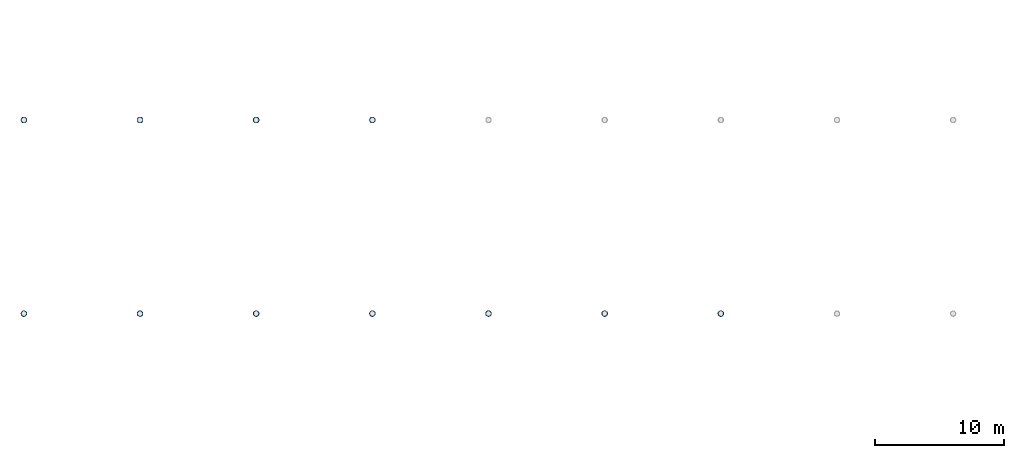
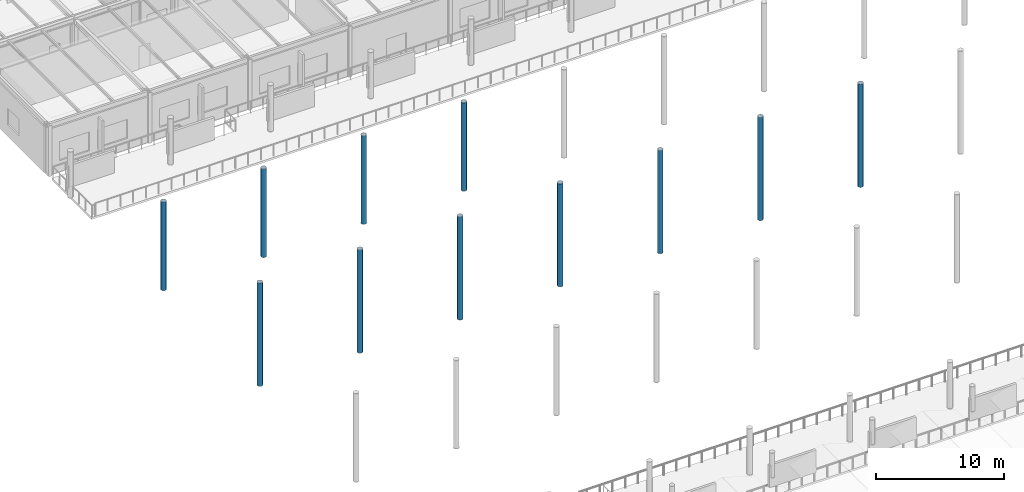
# One storey, part 7 of 143: 11 columns.
"""IFC4 building model written with IfcOpenShell, lengths in metres."""

from ifc_helpers import new_model, si_unit, direction, frame, origin, origin_2d, place, context, subcontext, project, spatial, hollow_circle, extrude, material, material_profile, profile_set, type_object, element, save


model = new_model("IFC4")

# Units and contexts
model_context = context("Model", 3, precision=1e-05, world=origin(), true_north=direction((0.0, 1.0)))
body_context = subcontext(model_context, "Body", "Model", "MODEL_VIEW")
ifc_project = project(units=[si_unit("LENGTHUNIT", "METRE"), si_unit("AREAUNIT", "SQUARE_METRE"), si_unit("VOLUMEUNIT", "CUBIC_METRE"), si_unit("PLANEANGLEUNIT", "RADIAN"), si_unit("MASSUNIT", "GRAM", prefix="KILO")], contexts=[model_context])

# Site, building, storey
site_placement = place(None, origin())
site = spatial("IfcSite", under=ifc_project, at=site_placement, CompositionType="ELEMENT")
building_placement = place(site_placement, origin())
building = spatial("IfcBuilding", under=site, at=building_placement, Name="Marlcrest Central Station", CompositionType="ELEMENT")
storey_placement = place(building_placement, frame((0.0, 0.0, 4.800048828125)))
storey = spatial("IfcBuildingStorey", under=building, at=storey_placement, Name="L01", CompositionType="ELEMENT", Elevation=4.800048828125)

# Columns
ifc_material = material(Name="Steel S355", Category="steel")
ifc_material_profile = material_profile(ifc_material, hollow_circle(Radius=0.228515625, WallThickness=0.02001953125, at=origin_2d()), Name="CHS 457x20")
ifc_profile_set = profile_set([ifc_material_profile], Name="Steel S355")
column_type = type_object("IfcColumnType", Name="SC-11", PredefinedType="COLUMN", material=ifc_profile_set)
column_1_placement = place(storey_placement, frame((0.0, 66.0, 0.0), z_axis=(0.0, 0.0, 1.0), x_axis=(1.0, 0.0, 0.0)))
element("IfcColumn", 1, at=column_1_placement, inside=storey, type_object=column_type, Name="col-SC-11-L01-0417", PredefinedType="COLUMN", context=body_context, shape_type="SweptSolid", body=[
    extrude(hollow_circle(Radius=0.228515625, WallThickness=0.02001953125, at=origin_2d()), origin(), (0.0, 0.0, 1.0), 9.800048828125),
])
column_2_placement = place(storey_placement, frame((0.0, 81.0, 0.0), z_axis=(0.0, 0.0, 1.0), x_axis=(1.0, 0.0, 0.0)))
element("IfcColumn", 2, at=column_2_placement, inside=storey, type_object=column_type, Name="col-SC-11-L01-0419", PredefinedType="COLUMN", context=body_context, shape_type="SweptSolid", body=[
    extrude(hollow_circle(Radius=0.228515625, WallThickness=0.02001953125, at=origin_2d()), origin(), (0.0, 0.0, 1.0), 8.40380859375),
])
column_3_placement = place(storey_placement, frame((9.0, 66.0, 0.0), z_axis=(0.0, 0.0, 1.0), x_axis=(1.0, 0.0, 0.0)))
element("IfcColumn", 3, at=column_3_placement, inside=storey, type_object=column_type, Name="col-SC-11-L01-0427", PredefinedType="COLUMN", context=body_context, shape_type="SweptSolid", body=[
    extrude(hollow_circle(Radius=0.228515625, WallThickness=0.02001953125, at=origin_2d()), origin(), (0.0, 0.0, 1.0), 9.800048828125),
])
column_4_placement = place(storey_placement, frame((9.0, 81.0, 0.0), z_axis=(0.0, 0.0, 1.0), x_axis=(1.0, 0.0, 0.0)))
element("IfcColumn", 4, at=column_4_placement, inside=storey, type_object=column_type, Name="col-SC-11-L01-0429", PredefinedType="COLUMN", context=body_context, shape_type="SweptSolid", body=[
    extrude(hollow_circle(Radius=0.228515625, WallThickness=0.02001953125, at=origin_2d()), origin(), (0.0, 0.0, 1.0), 8.40380859375),
])
column_5_placement = place(storey_placement, frame((18.0, 66.0, 0.0), z_axis=(0.0, 0.0, 1.0), x_axis=(1.0, 0.0, 0.0)))
element("IfcColumn", 5, at=column_5_placement, inside=storey, type_object=column_type, Name="col-SC-11-L01-0437", PredefinedType="COLUMN", context=body_context, shape_type="SweptSolid", body=[
    extrude(hollow_circle(Radius=0.228515625, WallThickness=0.02001953125, at=origin_2d()), origin(), (0.0, 0.0, 1.0), 9.800048828125),
])
column_6_placement = place(storey_placement, frame((18.0, 81.0, 0.0), z_axis=(0.0, 0.0, 1.0), x_axis=(1.0, 0.0, 0.0)))
element("IfcColumn", 6, at=column_6_placement, inside=storey, type_object=column_type, Name="col-SC-11-L01-0439", PredefinedType="COLUMN", context=body_context, shape_type="SweptSolid", body=[
    extrude(hollow_circle(Radius=0.228515625, WallThickness=0.02001953125, at=origin_2d()), origin(), (0.0, 0.0, 1.0), 8.40380859375),
])
column_7_placement = place(storey_placement, frame((27.0, 66.0, 0.0), z_axis=(0.0, 0.0, 1.0), x_axis=(1.0, 0.0, 0.0)))
element("IfcColumn", 7, at=column_7_placement, inside=storey, type_object=column_type, Name="col-SC-11-L01-0447", PredefinedType="COLUMN", context=body_context, shape_type="SweptSolid", body=[
    extrude(hollow_circle(Radius=0.228515625, WallThickness=0.02001953125, at=origin_2d()), origin(), (0.0, 0.0, 1.0), 9.800048828125),
])
column_8_placement = place(storey_placement, frame((27.0, 81.0, 0.0), z_axis=(0.0, 0.0, 1.0), x_axis=(1.0, 0.0, 0.0)))
element("IfcColumn", 8, at=column_8_placement, inside=storey, type_object=column_type, Name="col-SC-11-L01-0449", PredefinedType="COLUMN", context=body_context, shape_type="SweptSolid", body=[
    extrude(hollow_circle(Radius=0.228515625, WallThickness=0.02001953125, at=origin_2d()), origin(), (0.0, 0.0, 1.0), 8.40380859375),
])
for number, where, z_axis, x_axis, name in (
    (9, (36.0, 66.0, 0.0), (0.0, 0.0, 1.0), (1.0, 0.0, 0.0), "col-SC-11-L01-0457"),
    (10, (45.0, 66.0, 0.0), (0.0, 0.0, 1.0), (1.0, 0.0, 0.0), "col-SC-11-L01-0467"),
    (11, (54.0, 66.0, 0.0), (0.0, 0.0, 1.0), (1.0, 0.0, 0.0), "col-SC-11-L01-0477"),
):
    element("IfcColumn", number, at=place(storey_placement, frame(where, z_axis=z_axis, x_axis=x_axis)), inside=storey, type_object=column_type, Name=name, PredefinedType="COLUMN", context=body_context, shape_type="SweptSolid", body=[
        extrude(hollow_circle(Radius=0.228515625, WallThickness=0.02001953125, at=origin_2d()), origin(), (0.0, 0.0, 1.0), 9.800048828125),
    ])

save(model, "model.ifc")
